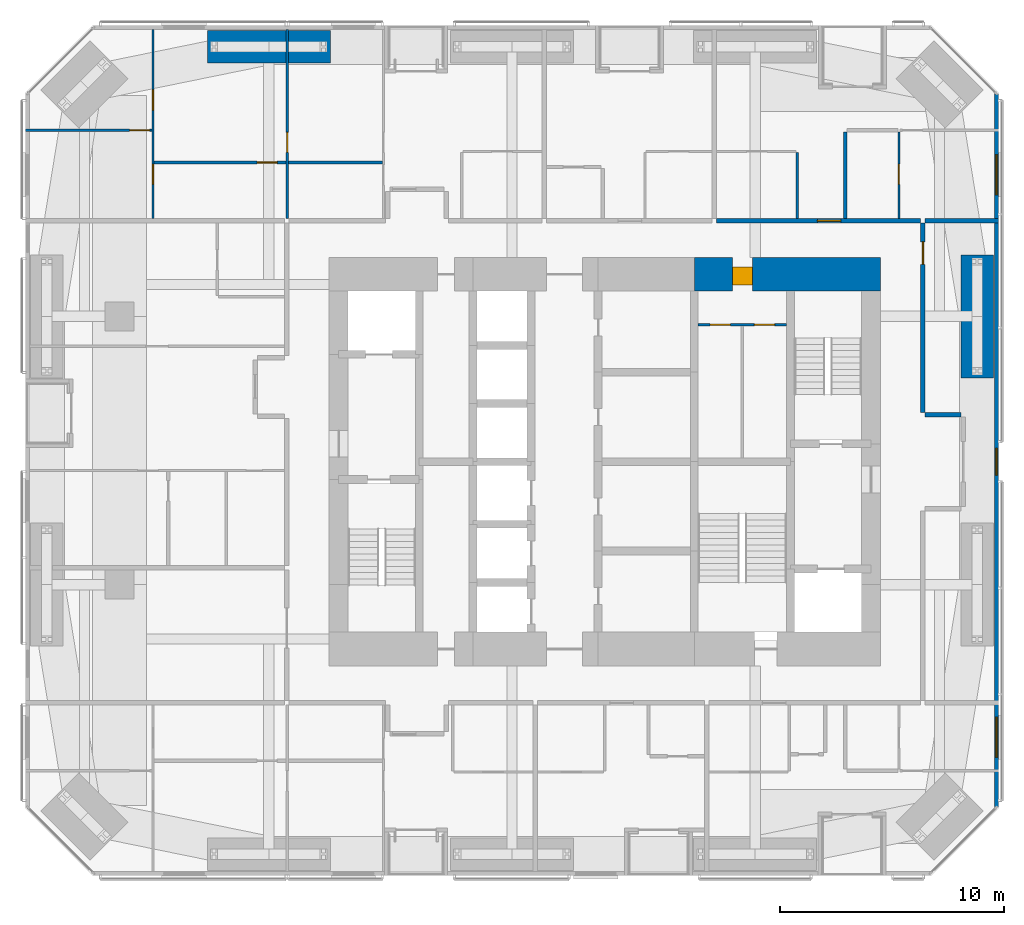
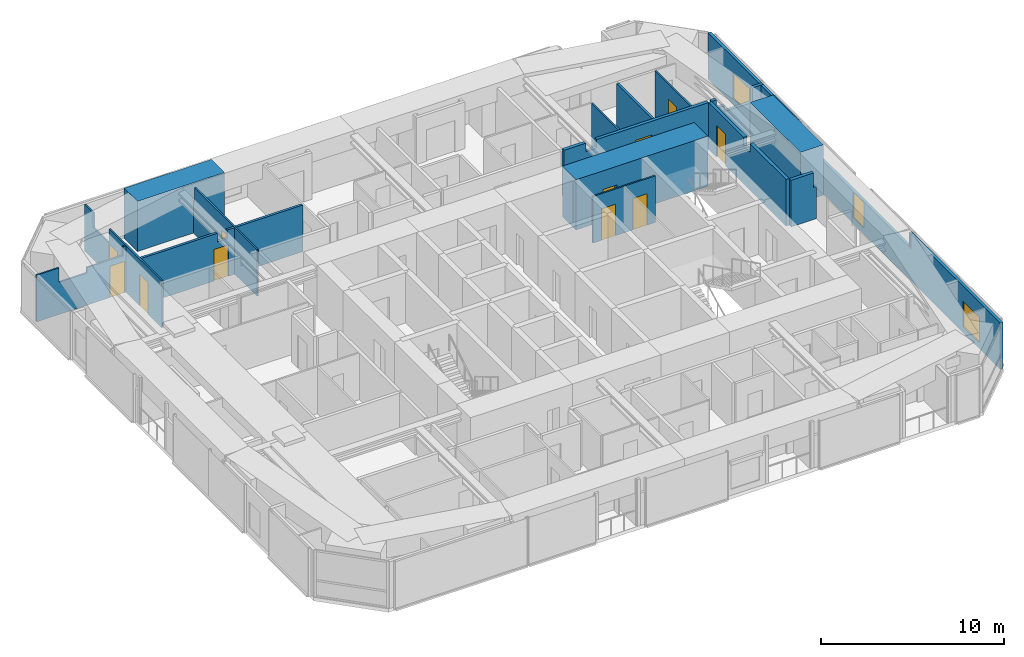
# One storey, part 22 of 25: 17 walls, 11 doors, 3 windows, 14 openings.
"""IFC4 building model written with IfcOpenShell, lengths in metres."""

import ifcopenshell
import ifcopenshell.guid

model = None  # the IFC model being written
_history = None  # IfcOwnerHistory: only IFC2X3 demands one
_inside = {}  # id of a spatial element -> (the spatial element, [elements in it])
_under = {}  # id of a project, library or spatial element -> (it, [spatial elements below it])
_declared = {}  # id of a project -> (the project, [libraries it declares])
_typed = {}  # id of a type object -> (the type object, [elements of that type])
_made_of = {}  # id of a material, layer set ... -> (it, [elements and type objects made of it])


def new_model(schema):
    """Start an empty IFC model of exactly this schema.

    Asked for "IFC4X3", IfcOpenShell would pick the latest addendum, in which some entities
    have other attributes; the version numbers below select the first issue.
    IFC2X3 requires an IfcOwnerHistory on every rooted entity: one is made here for all.
    """
    global model, _history
    if schema == "IFC4X3":
        model = ifcopenshell.file(schema_version=(4, 3, 0, 0))
    else:
        model = ifcopenshell.file(schema=schema)
    _inside.clear()
    _under.clear()
    _declared.clear()
    _typed.clear()
    _made_of.clear()
    _history = None
    if model.schema == "IFC2X3":
        org = make("IfcOrganization", Name="unknown")
        user = make(
            "IfcPersonAndOrganization",
            ThePerson=make("IfcPerson", FamilyName="unknown"),
            TheOrganization=org,
        )
        app = make(
            "IfcApplication",
            ApplicationDeveloper=org,
            Version="unknown",
            ApplicationFullName="unknown",
            ApplicationIdentifier="unknown",
        )
        _history = make(
            "IfcOwnerHistory",
            OwningUser=user,
            OwningApplication=app,
            ChangeAction="ADDED",
            CreationDate=0,
        )
    return model


def make(cls, **values):
    """One entity of the class cls with the attributes given. An attribute that is None is left unset."""
    return model.create_entity(
        cls, **{name: value for name, value in values.items() if value is not None}
    )


def rooted(cls, **values):
    """An entity with a GlobalId (a new one), such as an element, a storey or a relation."""
    return make(cls, GlobalId=ifcopenshell.guid.new(), OwnerHistory=_history, **values)


def si_unit(unit_type, name, prefix=None):
    """IfcSIUnit, for example si_unit("LENGTHUNIT", "METRE", prefix="MILLI")."""
    return make("IfcSIUnit", UnitType=unit_type, Prefix=prefix, Name=name)


def assignment(units):
    """IfcUnitAssignment: the units of a project."""
    return None if units is None else make("IfcUnitAssignment", Units=units)


def point(xyz):
    """IfcCartesianPoint."""
    return None if xyz is None else make("IfcCartesianPoint", Coordinates=xyz)


def direction(xyz):
    """IfcDirection."""
    return None if xyz is None else make("IfcDirection", DirectionRatios=xyz)


def frame(location, z_axis=None, x_axis=None):
    """IfcAxis2Placement3D, a coordinate frame: its origin and axes. An axis left out is left unset."""
    return make(
        "IfcAxis2Placement3D",
        Location=point(location),
        Axis=direction(z_axis),
        RefDirection=direction(x_axis),
    )


def frame_2d(location, x_axis=None):
    """IfcAxis2Placement2D, a coordinate frame in the plane: its origin and x axis."""
    return make(
        "IfcAxis2Placement2D", Location=point(location), RefDirection=direction(x_axis)
    )


def origin():
    """The frame at (0, 0, 0) with its axes left unset."""
    return frame((0.0, 0.0, 0.0))


def place(relative_to, where):
    """IfcLocalPlacement: puts the frame where relative to a parent placement (None: the world)."""
    return make(
        "IfcLocalPlacement", PlacementRelTo=relative_to, RelativePlacement=where
    )


def context(
    kind, dimensions, precision=None, world=None, true_north=None, identifier=None
):
    """IfcGeometricRepresentationContext, for example the 3D "Model" context."""
    return make(
        "IfcGeometricRepresentationContext",
        ContextIdentifier=identifier,
        ContextType=kind,
        CoordinateSpaceDimension=dimensions,
        Precision=precision,
        WorldCoordinateSystem=world,
        TrueNorth=true_north,
    )


def subcontext(parent, identifier, kind, view, scale=None):
    """IfcGeometricRepresentationSubContext, for example "Body" below "Model"."""
    return make(
        "IfcGeometricRepresentationSubContext",
        ContextIdentifier=identifier,
        ContextType=kind,
        ParentContext=parent,
        TargetScale=scale,
        TargetView=view,
    )


def project(units=None, contexts=None):
    """IfcProject with its units and contexts."""
    return rooted(
        "IfcProject",
        Name="project",
        RepresentationContexts=contexts,
        UnitsInContext=assignment(units),
    )


def spatial(cls, under=None, at=None, **own):
    """A site, building, storey or space (cls), placed at a placement, below another one or the project."""
    s = rooted(cls, ObjectPlacement=at, **own)
    if under is not None:
        _under.setdefault(under.id(), (under, []))[1].append(s)
    return s


def polyline(points):
    """IfcPolyline through the points."""
    return make("IfcPolyline", Points=[point(p) for p in points])


def profile(cls, at=None, kind="AREA", **sizes):
    """A parametric profile (cls). Its sizes go by their IFC names, for example OverallWidth=200.0."""
    return make(cls, ProfileType=kind, Position=at, **sizes)


def rectangle(**sizes):
    """IfcRectangleProfileDef."""
    return profile("IfcRectangleProfileDef", **sizes)


def outline(outer, holes=None, kind="AREA"):
    """IfcArbitraryClosedProfileDef: a profile drawn as a closed curve; with holes, ...WithVoids."""
    if holes is None:
        return make("IfcArbitraryClosedProfileDef", ProfileType=kind, OuterCurve=outer)
    return make(
        "IfcArbitraryProfileDefWithVoids",
        ProfileType=kind,
        OuterCurve=outer,
        InnerCurves=holes,
    )


def extrude(swept, where, along, depth):
    """IfcExtrudedAreaSolid: the profile swept, set in the frame where, extruded along a direction by depth."""
    return make(
        "IfcExtrudedAreaSolid",
        SweptArea=swept,
        Position=where,
        ExtrudedDirection=direction(along),
        Depth=depth,
    )


def shape(context_of_items, identifier, shape_type, items):
    """IfcShapeRepresentation: the items that make up one representation, for example the "Body"."""
    return make(
        "IfcShapeRepresentation",
        ContextOfItems=context_of_items,
        RepresentationIdentifier=identifier,
        RepresentationType=shape_type,
        Items=items,
    )


def material(Name=None, Category=None):
    """IfcMaterial."""
    return make("IfcMaterial", Name=Name, Category=Category)


def layer(
    of_material, thickness, ventilated=None, Name=None, Category=None, Priority=None
):
    """IfcMaterialLayer: one layer of a wall or slab, of a material (None: an air gap)."""
    return make(
        "IfcMaterialLayer",
        Material=of_material,
        LayerThickness=thickness,
        IsVentilated=ventilated,
        Name=Name,
        Category=Category,
        Priority=Priority,
    )


def layer_set(layers, Name=None):
    """IfcMaterialLayerSet."""
    return make("IfcMaterialLayerSet", MaterialLayers=layers, LayerSetName=Name)


def constituent(of_material, Name=None, Category=None, fraction=None):
    """IfcMaterialConstituent: one of the materials an element consists of."""
    return make(
        "IfcMaterialConstituent",
        Name=Name,
        Material=of_material,
        Fraction=fraction,
        Category=Category,
    )


def constituent_set(constituents=None, Name=None):
    """IfcMaterialConstituentSet."""
    return make(
        "IfcMaterialConstituentSet", Name=Name, MaterialConstituents=constituents
    )


def made_of(thing, what):
    """Note that an element or type object is made of a material, layer set ...; save() writes the relation."""
    if what is not None:
        _made_of.setdefault(what.id(), (what, []))[1].append(thing)
    return thing


def type_object(cls, material=None, **own):
    """A type object (cls), such as IfcWallType, which elements share."""
    return made_of(rooted(cls, **own), material)


def element(
    cls,
    number,
    at=None,
    inside=None,
    cuts=None,
    type_object=None,
    material=None,
    context=None,
    identifier="Body",
    shape_type=None,
    held_by="IfcProductDefinitionShape",
    body=None,
    shapes=None,
    **own,
):
    """One element of the class cls, such as IfcWall. Its Tag is "e" and its number.

    at: its placement. inside: the storey or other place that contains it. cuts: it is an
    opening in that element (IfcRelVoidsElement). A single representation is given by context,
    identifier, shape_type and body (its items); several are given by shapes. held_by: the class
    of the entity that holds the representations. save() writes the other relations.
    """
    e = rooted(cls, Tag="e%d" % number, ObjectPlacement=at, **own)
    if body is not None:
        shapes = [shape(context, identifier, shape_type, body)]
    if shapes is not None:
        e.Representation = make(held_by, Representations=shapes)
    if inside is not None:
        _inside.setdefault(inside.id(), (inside, []))[1].append(e)
    if cuts is not None:
        rooted(
            "IfcRelVoidsElement", RelatingBuildingElement=cuts, RelatedOpeningElement=e
        )
    if type_object is not None:
        _typed.setdefault(type_object.id(), (type_object, []))[1].append(e)
    return made_of(e, material)


def fill(opening, filler):
    """IfcRelFillsElement: the door or window that sits in an opening."""
    return rooted(
        "IfcRelFillsElement",
        RelatingOpeningElement=opening,
        RelatedBuildingElement=filler,
    )


def aggregate(whole, parts):
    """IfcRelAggregates: a whole, such as a stair, and the parts it consists of."""
    return rooted("IfcRelAggregates", RelatingObject=whole, RelatedObjects=parts)


def save(model, path):
    """Write the relations noted so far, then the file.

    IfcRelAggregates (storeys below a building ...), IfcRelContainedInSpatialStructure (elements
    in a storey), IfcRelDefinesByType, IfcRelAssociatesMaterial and IfcRelDeclares: one each for
    every whole, place, type object, material and project.
    """
    for whole, parts in _under.values():
        aggregate(whole, parts)
    for where, things in _inside.values():
        rooted(
            "IfcRelContainedInSpatialStructure",
            RelatedElements=things,
            RelatingStructure=where,
        )
    for kind, things in _typed.values():
        rooted("IfcRelDefinesByType", RelatedObjects=things, RelatingType=kind)
    for what, things in _made_of.values():
        rooted("IfcRelAssociatesMaterial", RelatedObjects=things, RelatingMaterial=what)
    for by, libraries in _declared.values():
        rooted("IfcRelDeclares", RelatingContext=by, RelatedDefinitions=libraries)
    model.write(path)


model = new_model("IFC4")

# Units and contexts
model_context = context("Model", 3, precision=1e-05, world=origin(), true_north=direction((0.0, 1.0)))
body_context = subcontext(model_context, "Body", "Model", "MODEL_VIEW")
ifc_project = project(units=[si_unit("LENGTHUNIT", "METRE"), si_unit("AREAUNIT", "SQUARE_METRE"), si_unit("VOLUMEUNIT", "CUBIC_METRE"), si_unit("PLANEANGLEUNIT", "RADIAN"), si_unit("MASSUNIT", "GRAM", prefix="KILO")], contexts=[model_context])

# Site, building, storey
site_placement = place(None, origin())
site = spatial("IfcSite", under=ifc_project, at=site_placement, CompositionType="ELEMENT")
building_placement = place(site_placement, origin())
building = spatial("IfcBuilding", under=site, at=building_placement, Name="Jalousie Tower", CompositionType="ELEMENT")
storey_placement = place(building_placement, frame((0.0, 0.0, 94.800048828125)))
storey = spatial("IfcBuildingStorey", under=building, at=storey_placement, Name="L25", CompositionType="ELEMENT", Elevation=94.800048828125)

# Wall, opening, door
ifc_material_1 = material(Name="Concrete block ASTM C90", Category="concrete")
ifc_constituent_1 = constituent(ifc_material_1, Name="Body")
ifc_material_2 = material(Name="Render")
ifc_constituent_2 = constituent(ifc_material_2, Name="Finish")
ifc_constituent_set_1 = constituent_set(constituents=[ifc_constituent_1, ifc_constituent_2])
wall_type_1 = type_object("IfcWallType", Name="BATHROOM WALL 150", PredefinedType="PLUMBINGWALL", material=ifc_constituent_set_1)
wall_1_placement = place(storey_placement, frame((11.75, 31.875, 0.0), z_axis=(0.0, 0.0, 1.0), x_axis=(1.0, 0.0, 0.0)))
wall_1 = element("IfcWall", 1, at=wall_1_placement, inside=storey, type_object=wall_type_1, Name="Bathroom Wall 150 L25", PredefinedType="PLUMBINGWALL", context=body_context, shape_type="SweptSolid", body=[
    extrude(outline(polyline([(0.0, 0.0), (5.89990234375, 0.0), (5.89990234375, 3.10986328125), (5.4375, 3.10986328125), (5.4375, 2.541015625), (4.8125, 2.541015625), (4.8125, 3.10986328125), (0.0, 3.10986328125), (0.0, 0.0)])), frame((0.0, 0.074951171875, 0.0), z_axis=(0.0, -1.0, 0.0), x_axis=(1.0, 0.0, 0.0)), (0.0, 0.0, 1.0), 0.14990234375),
])
opening_1_placement = place(wall_1_placement, frame((4.60009765625, 0.0, 0.0)))
opening_1 = element("IfcOpeningElement", 2, at=opening_1_placement, cuts=wall_1, Name="Opening D3", PredefinedType="OPENING", context=body_context, shape_type="SweptSolid", body=[
    extrude(rectangle(XDim=0.89990234375, YDim=2.10009765625, at=frame_2d((0.449951171875, 1.050048828125))), frame((0.0, 0.0849609375, 0.0), z_axis=(0.0, -1.0, 0.0), x_axis=(1.0, 0.0, 0.0)), (0.0, 0.0, 1.0), 0.169921875),
])
ifc_material_3 = material(Name="Timber door", Category="wood")
door_type_1 = type_object("IfcDoorType", Name="BATHROOM DOOR 900", OperationType="SINGLE_SWING_LEFT", PredefinedType="DOOR", material=ifc_material_3)
door_1_placement = place(opening_1_placement, frame((0.89990234375, 0.0, 0.0), z_axis=(0.0, 0.0, 1.0), x_axis=(-1.0, 0.0, 0.0)))
door_1 = element("IfcDoor", 3, at=door_1_placement, inside=storey, type_object=door_type_1, Name="Apartment 2504 bedroom 2 bathroom door", OperationType="SINGLE_SWING_LEFT", OverallHeight=2.10009765625, OverallWidth=0.89990234375, PredefinedType="DOOR", context=body_context, shape_type="SweptSolid", body=[
    extrude(rectangle(XDim=0.89990234375, YDim=2.10009765625, at=frame_2d((0.449951171875, 1.050048828125))), frame((0.0, 0.02490234375, 0.0), z_axis=(0.0, -1.0, 0.0), x_axis=(1.0, 0.0, 0.0)), (0.0, 0.0, 1.0), 0.050048828125),
])
fill(opening_1, door_1)

# Walls
wall_2_placement = place(storey_placement, frame((17.75, 31.875, 0.0), z_axis=(0.0, 0.0, 1.0), x_axis=(1.0, 0.0, 0.0)))
element("IfcWall", 4, at=wall_2_placement, inside=storey, type_object=wall_type_1, Name="Bathroom Wall 150 L25", PredefinedType="PLUMBINGWALL", context=body_context, shape_type="SweptSolid", body=[
    extrude(rectangle(XDim=4.199951171875, YDim=0.14990234375, at=frame_2d((2.10009765625, 0.0))), origin(), (0.0, 0.0, 1.0), 3.10986328125),
])
wall_3_placement = place(storey_placement, frame((42.64990234375, 33.2490234375, 0.0), z_axis=(0.0, 0.0, 1.0), x_axis=(0.0, -1.0, 0.0)))
element("IfcWall", 5, at=wall_3_placement, inside=storey, type_object=wall_type_1, Name="Bathroom Wall 150 L25", PredefinedType="PLUMBINGWALL", context=body_context, shape_type="SweptSolid", body=[
    extrude(rectangle(XDim=3.8740234375, YDim=0.14990234375, at=frame_2d((1.93701171875, 0.0))), origin(), (0.0, 0.0, 1.0), 3.10986328125),
])

# Wall, opening, door
ifc_material_4 = material(Name="Concrete f'c 120 MPa", Category="concrete")
ifc_layer_1 = layer(ifc_material_4, 1.5)
ifc_layer_set_1 = layer_set([ifc_layer_1], Name="Concrete f'c 120 MPa")
wall_type_2 = type_object("IfcWallType", Name="CORE WALL 1500", PredefinedType="SHEAR", material=ifc_layer_set_1)
wall_4_placement = place(storey_placement, frame((44.22509765625, 26.875, 0.0), z_axis=(0.0, 0.0, 1.0), x_axis=(-1.0, 0.0, 0.0)))
wall_4 = element("IfcWall", 6, at=wall_4_placement, inside=storey, type_object=wall_type_2, Name="Core wall NA L25", PredefinedType="SHEAR", context=body_context, shape_type="SweptSolid", body=[
    extrude(rectangle(XDim=8.3251953125, YDim=1.5, at=frame_2d((4.16259765625, 0.0))), origin(), (0.0, 0.0, 1.0), 3.349853515625),
])
opening_2_placement = place(wall_4_placement, frame((5.72509765625, 0.0, 0.0)))
opening_2 = element("IfcOpeningElement", 7, at=opening_2_placement, cuts=wall_4, Name="Opening D25", PredefinedType="OPENING", context=body_context, shape_type="SweptSolid", body=[
    extrude(rectangle(XDim=0.89990234375, YDim=2.10009765625, at=frame_2d((0.449951171875, 1.050048828125))), frame((0.0, 0.760009765625, 0.0), z_axis=(0.0, -1.0, 0.0), x_axis=(1.0, 0.0, 0.0)), (0.0, 0.0, 1.0), 1.52001953125),
])
ifc_material_5 = material(Name="Steel fire door", Category="steel")
door_type_2 = type_object("IfcDoorType", Name="SERVICE LOBBY DOOR 900", OperationType="SINGLE_SWING_LEFT", PredefinedType="DOOR", material=ifc_material_5)
door_2_placement = place(opening_2_placement, origin())
door_2 = element("IfcDoor", 8, at=door_2_placement, inside=storey, type_object=door_type_2, Name="Service lobby door", OperationType="SINGLE_SWING_LEFT", OverallHeight=2.10009765625, OverallWidth=0.89990234375, PredefinedType="DOOR", context=body_context, shape_type="SweptSolid", body=[
    extrude(rectangle(XDim=0.89990234375, YDim=2.10009765625, at=frame_2d((0.449951171875, 1.050048828125))), frame((0.0, 0.47021484375, 0.0), z_axis=(0.0, -1.0, 0.0), x_axis=(1.0, 0.0, 0.0)), (0.0, 0.0, 1.0), 0.800048828125),
])
fill(opening_2, door_2)

ifc_material_6 = material(Name="Concrete block ASTM C90", Category="concrete")
ifc_constituent_3 = constituent(ifc_material_6, Name="Body")
ifc_material_7 = material(Name="Render")
ifc_constituent_4 = constituent(ifc_material_7, Name="Finish")
ifc_constituent_set_2 = constituent_set(constituents=[ifc_constituent_3, ifc_constituent_4])
wall_type_3 = type_object("IfcWallType", Name="CORRIDOR WALL 200", PredefinedType="PARTITIONING", material=ifc_constituent_set_2)
wall_5_placement = place(storey_placement, frame((36.89990234375, 29.27490234375, 0.0), z_axis=(0.0, 0.0, 1.0), x_axis=(1.0, 0.0, 0.0)))
wall_5 = element("IfcWall", 9, at=wall_5_placement, inside=storey, type_object=wall_type_3, Name="Corridor Wall 200 L25", PredefinedType="PARTITIONING", context=body_context, shape_type="SweptSolid", body=[
    extrude(outline(polyline([(0.0, 0.0), (9.125, 0.0), (9.125, 3.10986328125), (2.0625, 3.10986328125), (2.0625, 2.541015625), (1.3876953125, 2.541015625), (1.3876953125, 3.10986328125), (0.0, 3.10986328125), (0.0, 0.0)])), frame((0.0, 0.10009765625, 0.0), z_axis=(0.0, -1.0, 0.0), x_axis=(1.0, 0.0, 0.0)), (0.0, 0.0, 1.0), 0.199951171875),
])
opening_3_placement = place(wall_5_placement, frame((4.5, 0.0, 0.0)))
opening_3 = element("IfcOpeningElement", 10, at=opening_3_placement, cuts=wall_5, Name="Opening D1", PredefinedType="OPENING", context=body_context, shape_type="SweptSolid", body=[
    extrude(rectangle(XDim=1.050048828125, YDim=2.199951171875, at=frame_2d((0.52490234375, 1.10009765625))), frame((0.0, 0.10986328125, 0.0), z_axis=(0.0, -1.0, 0.0), x_axis=(1.0, 0.0, 0.0)), (0.0, 0.0, 1.0), 0.219970703125),
])
ifc_material_8 = material(Name="Timber fire door", Category="wood")
door_type_3 = type_object("IfcDoorType", Name="APARTMENT ENTRANCE DOOR 1050", OperationType="SINGLE_SWING_LEFT", PredefinedType="DOOR", material=ifc_material_8)
door_3_placement = place(opening_3_placement, origin())
door_3 = element("IfcDoor", 11, at=door_3_placement, inside=storey, type_object=door_type_3, Name="Apartment 2506 entrance", OperationType="SINGLE_SWING_RIGHT", OverallHeight=2.199951171875, OverallWidth=1.050048828125, PredefinedType="DOOR", context=body_context, shape_type="SweptSolid", body=[
    extrude(rectangle(XDim=1.050048828125, YDim=2.199951171875, at=frame_2d((0.52490234375, 1.10009765625))), frame((0.0, 0.02490234375, 0.0), z_axis=(0.0, -1.0, 0.0), x_axis=(1.0, 0.0, 0.0)), (0.0, 0.0, 1.0), 0.050048828125),
])
fill(opening_3, door_3)

wall_6_placement = place(storey_placement, frame((46.125, 20.699951171875, 0.0), z_axis=(0.0, 0.0, 1.0), x_axis=(0.0, 1.0, 0.0)))
wall_6 = element("IfcWall", 12, at=wall_6_placement, inside=storey, type_object=wall_type_3, Name="Corridor Wall 200 L25", PredefinedType="PARTITIONING", context=body_context, shape_type="SweptSolid", body=[
    extrude(outline(polyline([(0.0, 0.0), (8.47509765625, 0.0), (8.47509765625, 3.10986328125), (4.63720703125, 3.10986328125), (4.63720703125, 2.541015625), (3.962646484375, 2.541015625), (3.962646484375, 3.10986328125), (0.0, 3.10986328125), (0.0, 0.0)])), frame((0.0, 0.10009765625, 0.0), z_axis=(0.0, -1.0, 0.0), x_axis=(1.0, 0.0, 0.0)), (0.0, 0.0, 1.0), 0.199951171875),
])
opening_4_placement = place(wall_6_placement, frame((6.625, 0.0, 0.0)))
opening_4 = element("IfcOpeningElement", 13, at=opening_4_placement, cuts=wall_6, Name="Opening D21", PredefinedType="OPENING", context=body_context, shape_type="SweptSolid", body=[
    extrude(rectangle(XDim=1.0, YDim=2.10009765625, at=frame_2d((0.5, 1.050048828125))), frame((0.0, 0.10986328125, 0.0), z_axis=(0.0, -1.0, 0.0), x_axis=(1.0, 0.0, 0.0)), (0.0, 0.0, 1.0), 0.219970703125),
])
ifc_material_9 = material(Name="Timber fire door", Category="wood")
door_type_4 = type_object("IfcDoorType", Name="CORRIDOR DOOR 1000", OperationType="SINGLE_SWING_LEFT", PredefinedType="DOOR", material=ifc_material_9)
door_4_placement = place(opening_4_placement, frame((1.0, 0.0, 0.0), z_axis=(0.0, 0.0, 1.0), x_axis=(-1.0, 0.0, 0.0)))
door_4 = element("IfcDoor", 14, at=door_4_placement, inside=storey, type_object=door_type_4, Name="Lounge second door", OperationType="SINGLE_SWING_LEFT", OverallHeight=2.10009765625, OverallWidth=1.0, PredefinedType="DOOR", context=body_context, shape_type="SweptSolid", body=[
    extrude(rectangle(XDim=1.0, YDim=2.10009765625, at=frame_2d((0.5, 1.050048828125))), frame((0.0, 0.02490234375, 0.0), z_axis=(0.0, -1.0, 0.0), x_axis=(1.0, 0.0, 0.0)), (0.0, 0.0, 1.0), 0.050048828125),
])
fill(opening_4, door_4)

# Wall
wall_7_placement = place(storey_placement, frame((46.22509765625, 20.60009765625, 0.0), z_axis=(0.0, 0.0, 1.0), x_axis=(1.0, 0.0, 0.0)))
element("IfcWall", 15, at=wall_7_placement, inside=storey, type_object=wall_type_3, Name="Corridor Wall 200 L25", PredefinedType="PARTITIONING", context=body_context, shape_type="SweptSolid", body=[
    extrude(outline(polyline([(0.0, 0.0), (1.599853515625, 0.0), (1.60009765625, 3.10986328125), (1.60009765625, 2.14990234375), (1.4150390625, 2.14990234375), (1.4150390625, 3.10986328125), (0.0, 3.10986328125), (0.0, 0.0)])), frame((0.0, 0.10009765625, 0.0), z_axis=(0.0, -1.0, 0.0), x_axis=(1.0, 0.0, 0.0)), (0.0, 0.0, 1.0), 0.199951171875),
])

# Wall, openings, windows
ifc_material_10 = material(Name="Concrete f'c 40 MPa", Category="concrete")
ifc_constituent_5 = constituent(ifc_material_10, Name="Body")
ifc_material_11 = material(Name="Render, pastel sea green")
ifc_constituent_6 = constituent(ifc_material_11, Name="Finish")
ifc_constituent_set_3 = constituent_set(constituents=[ifc_constituent_5, ifc_constituent_6])
wall_type_4 = type_object("IfcWallType", Name="EXTERNAL WALL 175 SEA GREEN RENDER", PredefinedType="SOLIDWALL", material=ifc_constituent_set_3)
wall_8_placement = place(storey_placement, frame((49.41259765625, 3.05126953125, 0.0), z_axis=(0.0, 0.0, 1.0), x_axis=(0.0, 1.0, 0.0)))
wall_8 = element("IfcWall", 16, at=wall_8_placement, inside=storey, type_object=wall_type_4, Name="External Wall 175 Sea Green Render L25", PredefinedType="SOLIDWALL", context=body_context, shape_type="SweptSolid", body=[
    extrude(outline(polyline([(0.0, 0.0), (31.8974609375, 0.0), (31.8974609375, 3.10986328125), (22.167236328125, 3.10986328125), (22.167236328125, 2.14990234375), (22.074462890625, 2.14990234375), (22.074462890625, 3.10986328125), (21.94873046875, 3.10986328125), (21.94873046875, 2.14990234375), (9.94873046875, 2.14990234375), (9.94873046875, 3.10986328125), (9.822998046875, 3.10986328125), (9.822998046875, 2.14990234375), (9.72998046875, 2.14990234375), (9.72998046875, 3.10986328125), (0.0, 3.10986328125), (0.0, 0.0)])), frame((0.0, 0.08740234375, 0.0), z_axis=(0.0, -1.0, 0.0), x_axis=(1.0, 0.0, 0.0)), (0.0, 0.0, 1.0), 0.175048828125),
])
opening_5_placement = place(wall_8_placement, frame((2.22412109375, 0.0, 0.39990234375)))
opening_5 = element("IfcOpeningElement", 17, at=opening_5_placement, cuts=wall_8, Name="Opening W-BED170", PredefinedType="OPENING", context=body_context, shape_type="SweptSolid", body=[
    extrude(rectangle(XDim=1.800048828125, YDim=1.699951171875, at=frame_2d((0.89990234375, 0.85009765625))), frame((0.0, 0.097412109375, 0.0), z_axis=(0.0, -1.0, 0.0), x_axis=(1.0, 0.0, 0.0)), (0.0, 0.0, 1.0), 0.195068359375),
])
opening_6_placement = place(wall_8_placement, frame((14.8486328125, 0.0, 0.39990234375)))
opening_6 = element("IfcOpeningElement", 18, at=opening_6_placement, cuts=wall_8, Name="Opening W-COR170", PredefinedType="OPENING", context=body_context, shape_type="SweptSolid", body=[
    extrude(rectangle(XDim=1.199951171875, YDim=1.699951171875, at=frame_2d((0.60009765625, 0.85009765625))), frame((0.0, 0.097412109375, 0.0), z_axis=(0.0, -1.0, 0.0), x_axis=(1.0, 0.0, 0.0)), (0.0, 0.0, 1.0), 0.195068359375),
])
opening_7_placement = place(wall_8_placement, frame((27.373291015625, 0.0, 0.39990234375)))
opening_7 = element("IfcOpeningElement", 19, at=opening_7_placement, cuts=wall_8, Name="Opening W-BED170", PredefinedType="OPENING", context=body_context, shape_type="SweptSolid", body=[
    extrude(rectangle(XDim=1.800048828125, YDim=1.699951171875, at=frame_2d((0.89990234375, 0.85009765625))), frame((0.0, 0.097412109375, 0.0), z_axis=(0.0, -1.0, 0.0), x_axis=(1.0, 0.0, 0.0)), (0.0, 0.0, 1.0), 0.195068359375),
])
ifc_material_12 = material(Name="Aluminium frame, impact-rated glazing", Category="aluminium")
window_type_1 = type_object("IfcWindowType", Name="WINDOW BED 1800x1700", PartitioningType="SINGLE_PANEL", PredefinedType="WINDOW", material=ifc_material_12)
window_1_placement = place(opening_5_placement, origin())
window_1 = element("IfcWindow", 20, at=window_1_placement, inside=storey, type_object=window_type_1, Name="Apartment 2503 bedroom 1 window", OverallHeight=1.699951171875, OverallWidth=1.800048828125, PartitioningType="SINGLE_PANEL", PredefinedType="WINDOW", context=body_context, shape_type="SweptSolid", body=[
    extrude(rectangle(XDim=1.800048828125, YDim=1.699951171875, at=frame_2d((0.89990234375, 0.85009765625))), frame((0.0, 0.030029296875, 0.0), z_axis=(0.0, -1.0, 0.0), x_axis=(1.0, 0.0, 0.0)), (0.0, 0.0, 1.0), 0.06005859375),
])
fill(opening_5, window_1)
window_2_placement = place(opening_7_placement, origin())
window_2 = element("IfcWindow", 21, at=window_2_placement, inside=storey, type_object=window_type_1, Name="Apartment 2506 bedroom 1 window", OverallHeight=1.699951171875, OverallWidth=1.800048828125, PartitioningType="SINGLE_PANEL", PredefinedType="WINDOW", context=body_context, shape_type="SweptSolid", body=[
    extrude(rectangle(XDim=1.800048828125, YDim=1.699951171875, at=frame_2d((0.89990234375, 0.85009765625))), frame((0.0, 0.030029296875, 0.0), z_axis=(0.0, -1.0, 0.0), x_axis=(1.0, 0.0, 0.0)), (0.0, 0.0, 1.0), 0.06005859375),
])
fill(opening_7, window_2)
ifc_material_13 = material(Name="Aluminium frame, impact-rated glazing", Category="aluminium")
window_type_2 = type_object("IfcWindowType", Name="WINDOW COR 1200x1700", PartitioningType="SINGLE_PANEL", PredefinedType="WINDOW", material=ifc_material_13)
window_3_placement = place(opening_6_placement, origin())
window_3 = element("IfcWindow", 22, at=window_3_placement, inside=storey, type_object=window_type_2, Name="Residents' lounge window", OverallHeight=1.699951171875, OverallWidth=1.199951171875, PartitioningType="SINGLE_PANEL", PredefinedType="WINDOW", context=body_context, shape_type="SweptSolid", body=[
    extrude(rectangle(XDim=1.199951171875, YDim=1.699951171875, at=frame_2d((0.60009765625, 0.85009765625))), frame((0.0, 0.030029296875, 0.0), z_axis=(0.0, -1.0, 0.0), x_axis=(1.0, 0.0, 0.0)), (0.0, 0.0, 1.0), 0.06005859375),
])
fill(opening_6, window_3)

# Wall, openings, doors
ifc_material_14 = material(Name="Gypsum board", Category="gypsum")
ifc_constituent_7 = constituent(ifc_material_14, Name="Body")
ifc_material_15 = material(Name="Light-gauge steel studs ASTM A653 SS Grade 33", Category="steel")
ifc_constituent_8 = constituent(ifc_material_15, Name="Framing")
ifc_constituent_set_4 = constituent_set(constituents=[ifc_constituent_7, ifc_constituent_8])
wall_type_5 = type_object("IfcWallType", Name="PARTITION 100", PredefinedType="PARTITIONING", material=ifc_constituent_set_4)
wall_9_placement = place(storey_placement, frame((11.699951171875, 37.824951171875, 0.0), z_axis=(0.0, 0.0, 1.0), x_axis=(0.0, -1.0, 0.0)))
wall_9 = element("IfcWall", 23, at=wall_9_placement, inside=storey, type_object=wall_type_5, Name="Partition 100 L25", PredefinedType="PARTITIONING", context=body_context, shape_type="SweptSolid", body=[
    extrude(outline(polyline([(0.0, 0.0), (8.449951171875, 0.0), (8.449951171875, 3.10986328125), (2.708251953125, 3.10986328125), (2.708251953125, 2.14990234375), (0.952880859375, 2.14990234375), (0.952880859375, 3.10986328125), (0.0, 3.10986328125), (0.0, 0.0)])), frame((0.0, 0.050048828125, 0.0), z_axis=(0.0, -1.0, 0.0), x_axis=(1.0, 0.0, 0.0)), (0.0, 0.0, 1.0), 0.10009765625),
])
opening_8_placement = place(wall_9_placement, frame((2.700927734375, 0.0, 0.0)))
opening_8 = element("IfcOpeningElement", 24, at=opening_8_placement, cuts=wall_9, Name="Opening D2", PredefinedType="OPENING", context=body_context, shape_type="SweptSolid", body=[
    extrude(rectangle(XDim=0.89990234375, YDim=2.10009765625, at=frame_2d((0.449951171875, 1.050048828125))), frame((0.0, 0.06005859375, 0.0), z_axis=(0.0, -1.0, 0.0), x_axis=(1.0, 0.0, 0.0)), (0.0, 0.0, 1.0), 0.1201171875),
])
opening_9_placement = place(wall_9_placement, frame((6.025390625, 0.0, 0.0)))
opening_9 = element("IfcOpeningElement", 25, at=opening_9_placement, cuts=wall_9, Name="Opening D3", PredefinedType="OPENING", context=body_context, shape_type="SweptSolid", body=[
    extrude(rectangle(XDim=0.89990234375, YDim=2.10009765625, at=frame_2d((0.449951171875, 1.050048828125))), frame((0.0, 0.06005859375, 0.0), z_axis=(0.0, -1.0, 0.0), x_axis=(1.0, 0.0, 0.0)), (0.0, 0.0, 1.0), 0.1201171875),
])
door_5_placement = place(opening_9_placement, origin())
door_5 = element("IfcDoor", 26, at=door_5_placement, inside=storey, type_object=door_type_1, Name="Apartment 2504 bedroom 1 bathroom door", OperationType="SINGLE_SWING_LEFT", OverallHeight=2.10009765625, OverallWidth=0.89990234375, PredefinedType="DOOR", context=body_context, shape_type="SweptSolid", body=[
    extrude(rectangle(XDim=0.89990234375, YDim=2.10009765625, at=frame_2d((0.449951171875, 1.050048828125))), frame((0.0, 0.02490234375, 0.0), z_axis=(0.0, -1.0, 0.0), x_axis=(1.0, 0.0, 0.0)), (0.0, 0.0, 1.0), 0.050048828125),
])
fill(opening_9, door_5)
ifc_material_16 = material(Name="Timber door", Category="wood")
door_type_5 = type_object("IfcDoorType", Name="BEDROOM DOOR 900", OperationType="SINGLE_SWING_LEFT", PredefinedType="DOOR", material=ifc_material_16)
door_6_placement = place(opening_8_placement, origin())
door_6 = element("IfcDoor", 27, at=door_6_placement, inside=storey, type_object=door_type_5, Name="Apartment 2504 bedroom 1 door", OperationType="SINGLE_SWING_RIGHT", OverallHeight=2.10009765625, OverallWidth=0.89990234375, PredefinedType="DOOR", context=body_context, shape_type="SweptSolid", body=[
    extrude(rectangle(XDim=0.89990234375, YDim=2.10009765625, at=frame_2d((0.449951171875, 1.050048828125))), frame((0.0, 0.02490234375, 0.0), z_axis=(0.0, -1.0, 0.0), x_axis=(1.0, 0.0, 0.0)), (0.0, 0.0, 1.0), 0.050048828125),
])
fill(opening_8, door_6)

# Wall, opening, door
wall_10_placement = place(storey_placement, frame((17.699951171875, 37.824951171875, 0.0), z_axis=(0.0, 0.0, 1.0), x_axis=(0.0, -1.0, 0.0)))
wall_10 = element("IfcWall", 28, at=wall_10_placement, inside=storey, type_object=wall_type_5, Name="Partition 100 L25", PredefinedType="PARTITIONING", context=body_context, shape_type="SweptSolid", body=[
    extrude(outline(polyline([(1.635009765625, 2.14990234375), (0.0, 2.14990234375), (0.0, 0.0), (8.449951171875, 0.0), (8.449951171875, 3.10986328125), (1.635009765625, 3.10986328125), (1.635009765625, 2.14990234375)]), holes=[polyline([(1.021240234375, 0.115966796875), (0.52880859375, 0.115966796875), (0.52880859375, 0.90576171875), (1.021240234375, 0.90576171875), (1.021240234375, 0.115966796875)]), polyline([(1.021240234375, 1.244140625), (0.52880859375, 1.244140625), (0.52880859375, 2.033935546875), (1.021240234375, 2.033935546875), (1.021240234375, 1.244140625)])]), frame((0.0, 0.050048828125, 0.0), z_axis=(0.0, -1.0, 0.0), x_axis=(1.0, 0.0, 0.0)), (0.0, 0.0, 1.0), 0.10009765625),
])
opening_10_placement = place(wall_10_placement, frame((4.60009765625, 0.0, 0.0)))
opening_10 = element("IfcOpeningElement", 29, at=opening_10_placement, cuts=wall_10, Name="Opening D2", PredefinedType="OPENING", context=body_context, shape_type="SweptSolid", body=[
    extrude(rectangle(XDim=0.89990234375, YDim=2.10009765625, at=frame_2d((0.449951171875, 1.050048828125))), frame((0.0, 0.06005859375, 0.0), z_axis=(0.0, -1.0, 0.0), x_axis=(1.0, 0.0, 0.0)), (0.0, 0.0, 1.0), 0.1201171875),
])
door_7_placement = place(opening_10_placement, frame((0.89990234375, 0.0, 0.0), z_axis=(0.0, 0.0, 1.0), x_axis=(-1.0, 0.0, 0.0)))
door_7 = element("IfcDoor", 30, at=door_7_placement, inside=storey, type_object=door_type_5, Name="Apartment 2504 bedroom 2 door", OperationType="SINGLE_SWING_LEFT", OverallHeight=2.10009765625, OverallWidth=0.89990234375, PredefinedType="DOOR", context=body_context, shape_type="SweptSolid", body=[
    extrude(rectangle(XDim=0.89990234375, YDim=2.10009765625, at=frame_2d((0.449951171875, 1.050048828125))), frame((0.0, 0.02490234375, 0.0), z_axis=(0.0, -1.0, 0.0), x_axis=(1.0, 0.0, 0.0)), (0.0, 0.0, 1.0), 0.050048828125),
])
fill(opening_10, door_7)

wall_11_placement = place(storey_placement, frame((6.0, 33.32421875, 0.0), z_axis=(0.0, 0.0, 1.0), x_axis=(1.0, 0.0, 0.0)))
wall_11 = element("IfcWall", 31, at=wall_11_placement, inside=storey, type_object=wall_type_5, Name="Partition 100 L25", PredefinedType="PARTITIONING", context=body_context, shape_type="SweptSolid", body=[
    extrude(outline(polyline([(0.0, 0.0), (5.64990234375, 0.0), (5.64990234375, 3.10986328125), (5.4599609375, 3.10986328125), (5.4599609375, 2.510009765625), (3.171142578125, 2.510009765625), (3.171142578125, 2.14990234375), (1.4287109375, 2.14990234375), (1.4287109375, 3.10986328125), (0.0, 3.10986328125), (0.0, 0.0)])), frame((0.0, 0.050048828125, 0.0), z_axis=(0.0, -1.0, 0.0), x_axis=(1.0, 0.0, 0.0)), (0.0, 0.0, 1.0), 0.10009765625),
])
opening_11_placement = place(wall_11_placement, frame((4.64990234375, 0.0, 0.0)))
opening_11 = element("IfcOpeningElement", 32, at=opening_11_placement, cuts=wall_11, Name="Opening D7", PredefinedType="OPENING", context=body_context, shape_type="SweptSolid", body=[
    extrude(rectangle(XDim=0.89990234375, YDim=2.10009765625, at=frame_2d((0.449951171875, 1.050048828125))), frame((0.0, 0.06005859375, 0.0), z_axis=(0.0, -1.0, 0.0), x_axis=(1.0, 0.0, 0.0)), (0.0, 0.0, 1.0), 0.1201171875),
])
ifc_material_17 = material(Name="Timber door", Category="wood")
door_type_6 = type_object("IfcDoorType", Name="INTERNAL DOOR 900", OperationType="SINGLE_SWING_LEFT", PredefinedType="DOOR", material=ifc_material_17)
door_8_placement = place(opening_11_placement, frame((0.89990234375, 0.0, 0.0), z_axis=(0.0, 0.0, 1.0), x_axis=(-1.0, 0.0, 0.0)))
door_8 = element("IfcDoor", 33, at=door_8_placement, inside=storey, type_object=door_type_6, Name="Apartment 2504 bedroom 1 dressing hall door", OperationType="SINGLE_SWING_LEFT", OverallHeight=2.10009765625, OverallWidth=0.89990234375, PredefinedType="DOOR", context=body_context, shape_type="SweptSolid", body=[
    extrude(rectangle(XDim=0.89990234375, YDim=2.10009765625, at=frame_2d((0.449951171875, 1.050048828125))), frame((0.0, 0.02490234375, 0.0), z_axis=(0.0, -1.0, 0.0), x_axis=(1.0, 0.0, 0.0)), (0.0, 0.0, 1.0), 0.050048828125),
])
fill(opening_11, door_8)

wall_12_placement = place(storey_placement, frame((45.050048828125, 33.2490234375, 0.0), z_axis=(0.0, 0.0, 1.0), x_axis=(0.0, -1.0, 0.0)))
wall_12 = element("IfcWall", 34, at=wall_12_placement, inside=storey, type_object=wall_type_5, Name="Partition 100 L25", PredefinedType="PARTITIONING", context=body_context, shape_type="SweptSolid", body=[
    extrude(rectangle(XDim=3.8740234375, YDim=0.10009765625, at=frame_2d((1.93701171875, 0.0))), origin(), (0.0, 0.0, 1.0), 3.10986328125),
])
opening_12_placement = place(wall_12_placement, frame((1.44970703125, 0.0, 0.0)))
opening_12 = element("IfcOpeningElement", 35, at=opening_12_placement, cuts=wall_12, Name="Opening D3", PredefinedType="OPENING", context=body_context, shape_type="SweptSolid", body=[
    extrude(rectangle(XDim=0.89990234375, YDim=2.10009765625, at=frame_2d((0.449951171875, 1.050048828125))), frame((0.0, 0.06005859375, 0.0), z_axis=(0.0, -1.0, 0.0), x_axis=(1.0, 0.0, 0.0)), (0.0, 0.0, 1.0), 0.1201171875),
])
door_9_placement = place(opening_12_placement, frame((0.89990234375, 0.0, 0.0), z_axis=(0.0, 0.0, 1.0), x_axis=(-1.0, 0.0, 0.0)))
door_9 = element("IfcDoor", 36, at=door_9_placement, inside=storey, type_object=door_type_1, Name="Apartment 2506 bedroom 1 bathroom door", OperationType="SINGLE_SWING_RIGHT", OverallHeight=2.10009765625, OverallWidth=0.89990234375, PredefinedType="DOOR", context=body_context, shape_type="SweptSolid", body=[
    extrude(rectangle(XDim=0.89990234375, YDim=2.10009765625, at=frame_2d((0.449951171875, 1.050048828125))), frame((0.0, 0.02490234375, 0.0), z_axis=(0.0, -1.0, 0.0), x_axis=(1.0, 0.0, 0.0)), (0.0, 0.0, 1.0), 0.050048828125),
])
fill(opening_12, door_9)

# Wall
wall_13_placement = place(storey_placement, frame((40.5, 32.324951171875, 0.0), z_axis=(0.0, 0.0, 1.0), x_axis=(0.0, -1.0, 0.0)))
element("IfcWall", 37, at=wall_13_placement, inside=storey, type_object=wall_type_5, Name="Partition 100 L25", PredefinedType="PARTITIONING", context=body_context, shape_type="SweptSolid", body=[
    extrude(rectangle(XDim=2.949951171875, YDim=0.10009765625, at=frame_2d((1.47509765625, 0.0))), origin(), (0.0, 0.0, 1.0), 3.10986328125),
])

# Wall, openings, doors
wall_14_placement = place(storey_placement, frame((36.074951171875, 24.625, 0.0), z_axis=(0.0, 0.0, 1.0), x_axis=(1.0, 0.0, 0.0)))
wall_14 = element("IfcWall", 38, at=wall_14_placement, inside=storey, type_object=wall_type_5, Name="Partition 100 L25", PredefinedType="PARTITIONING", context=body_context, shape_type="SweptSolid", body=[
    extrude(rectangle(XDim=3.949951171875, YDim=0.10009765625, at=frame_2d((1.97509765625, 0.0))), origin(), (0.0, 0.0, 1.0), 3.10986328125),
])
opening_13_placement = place(wall_14_placement, frame((0.53759765625, 0.0, 0.0)))
opening_13 = element("IfcOpeningElement", 39, at=opening_13_placement, cuts=wall_14, Name="Opening D7", PredefinedType="OPENING", context=body_context, shape_type="SweptSolid", body=[
    extrude(rectangle(XDim=0.89990234375, YDim=2.10009765625, at=frame_2d((0.449951171875, 1.050048828125))), frame((0.0, 0.06005859375, 0.0), z_axis=(0.0, -1.0, 0.0), x_axis=(1.0, 0.0, 0.0)), (0.0, 0.0, 1.0), 0.1201171875),
])
opening_14_placement = place(wall_14_placement, frame((2.512451171875, 0.0, 0.0)))
opening_14 = element("IfcOpeningElement", 40, at=opening_14_placement, cuts=wall_14, Name="Opening D7", PredefinedType="OPENING", context=body_context, shape_type="SweptSolid", body=[
    extrude(rectangle(XDim=0.89990234375, YDim=2.10009765625, at=frame_2d((0.449951171875, 1.050048828125))), frame((0.0, 0.06005859375, 0.0), z_axis=(0.0, -1.0, 0.0), x_axis=(1.0, 0.0, 0.0)), (0.0, 0.0, 1.0), 0.1201171875),
])
door_10_placement = place(opening_13_placement, frame((0.89990234375, 0.0, 0.0), z_axis=(0.0, 0.0, 1.0), x_axis=(-1.0, 0.0, 0.0)))
door_10 = element("IfcDoor", 41, at=door_10_placement, inside=storey, type_object=door_type_6, Name="Cleaner's store door", OperationType="SINGLE_SWING_LEFT", OverallHeight=2.10009765625, OverallWidth=0.89990234375, PredefinedType="DOOR", context=body_context, shape_type="SweptSolid", body=[
    extrude(rectangle(XDim=0.89990234375, YDim=2.10009765625, at=frame_2d((0.449951171875, 1.050048828125))), frame((0.0, 0.02490234375, 0.0), z_axis=(0.0, -1.0, 0.0), x_axis=(1.0, 0.0, 0.0)), (0.0, 0.0, 1.0), 0.050048828125),
])
fill(opening_13, door_10)
door_11_placement = place(opening_14_placement, frame((0.89990234375, 0.0, 0.0), z_axis=(0.0, 0.0, 1.0), x_axis=(-1.0, 0.0, 0.0)))
door_11 = element("IfcDoor", 42, at=door_11_placement, inside=storey, type_object=door_type_6, Name="Linen store door", OperationType="SINGLE_SWING_RIGHT", OverallHeight=2.10009765625, OverallWidth=0.89990234375, PredefinedType="DOOR", context=body_context, shape_type="SweptSolid", body=[
    extrude(rectangle(XDim=0.89990234375, YDim=2.10009765625, at=frame_2d((0.449951171875, 1.050048828125))), frame((0.0, 0.02490234375, 0.0), z_axis=(0.0, -1.0, 0.0), x_axis=(1.0, 0.0, 0.0)), (0.0, 0.0, 1.0), 0.050048828125),
])
fill(opening_14, door_11)

# Walls
ifc_material_18 = material(Name="Concrete block ASTM C90", Category="concrete")
ifc_constituent_9 = constituent(ifc_material_18, Name="Body")
ifc_material_19 = material(Name="Render")
ifc_constituent_10 = constituent(ifc_material_19, Name="Finish")
ifc_constituent_set_5 = constituent_set(constituents=[ifc_constituent_9, ifc_constituent_10])
wall_type_6 = type_object("IfcWallType", Name="PARTY WALL 200", PredefinedType="PARTITIONING", material=ifc_constituent_set_5)
wall_15_placement = place(storey_placement, frame((46.22509765625, 29.27490234375, 0.0), z_axis=(0.0, 0.0, 1.0), x_axis=(1.0, 0.0, 0.0)))
element("IfcWall", 43, at=wall_15_placement, inside=storey, type_object=wall_type_6, Name="Party Wall 200 L25", PredefinedType="PARTITIONING", context=body_context, shape_type="SweptSolid", body=[
    extrude(outline(polyline([(0.0, 0.0), (3.27490234375, 0.0), (3.27490234375, 3.10986328125), (2.5537109375, 3.10986328125), (2.5537109375, 2.14990234375), (0.80517578125, 2.14990234375), (0.80517578125, 2.541015625), (0.30615234375, 2.541015625), (0.30615234375, 3.10986328125), (0.0, 3.10986328125), (0.0, 0.0)])), frame((0.0, 0.10009765625, 0.0), z_axis=(0.0, -1.0, 0.0), x_axis=(1.0, 0.0, 0.0)), (0.0, 0.0, 1.0), 0.199951171875),
])
ifc_material_20 = material(Name="Concrete f'c 120 MPa", Category="concrete")
ifc_layer_2 = layer(ifc_material_20, 1.449951171875)
ifc_layer_set_2 = layer_set([ifc_layer_2], Name="Concrete f'c 120 MPa")
wall_type_7 = type_object("IfcWallType", Name="RC WALL PIER 1450", PredefinedType="SHEAR", material=ifc_layer_set_2)
for number, where, z_axis, x_axis, name in (
    (44, (48.550048828125, 22.25, 0.0), (0.0, 0.0, 1.0), (0.0, 1.0, 0.0), "Wall pier 07 L25"),
    (45, (14.125, 37.050048828125, 0.0), (0.0, 0.0, 1.0), (1.0, 0.0, 0.0), "Wall pier 11 L25"),
):
    element("IfcWall", number, at=place(storey_placement, frame(where, z_axis=z_axis, x_axis=x_axis)), inside=storey, type_object=wall_type_7, Name=name, PredefinedType="SHEAR", context=body_context, shape_type="SweptSolid", body=[
        extrude(rectangle(XDim=5.5, YDim=1.449951171875, at=frame_2d((2.75, 0.0))), origin(), (0.0, 0.0, 1.0), 3.349853515625),
    ])

save(model, "model.ifc")
